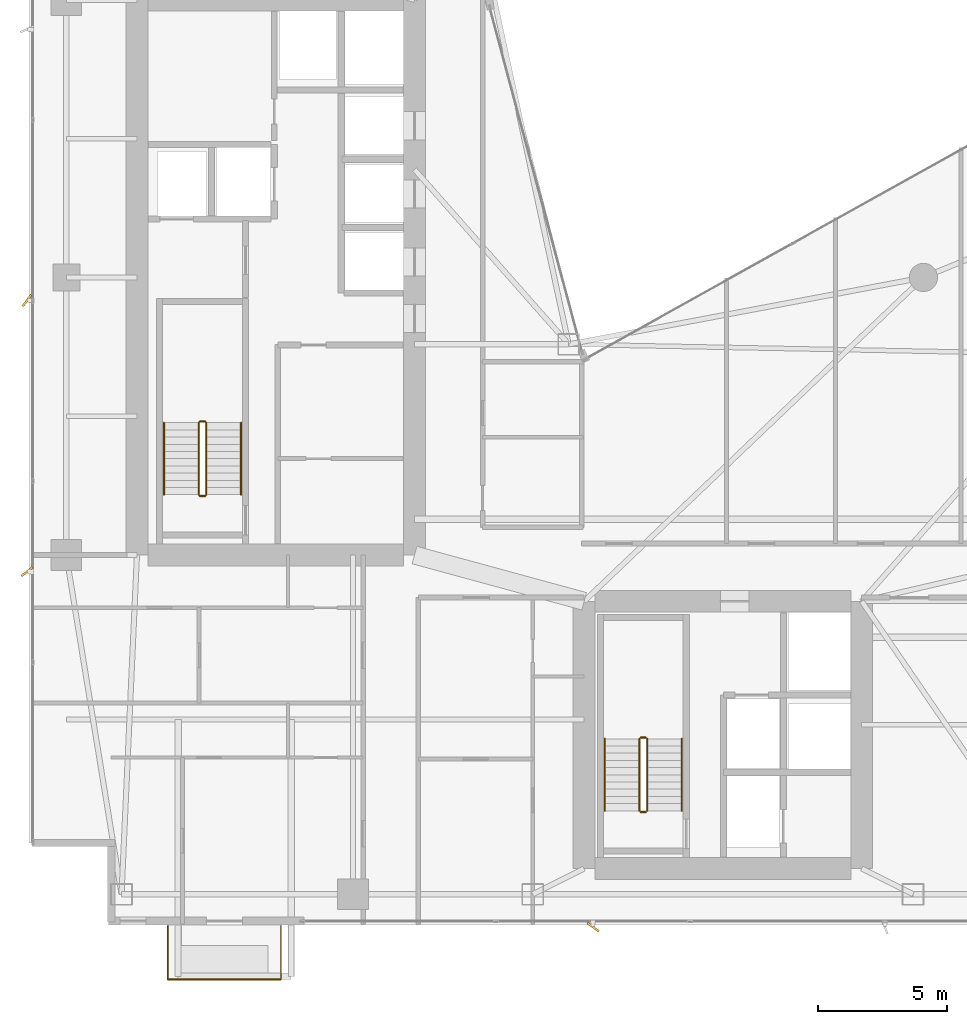
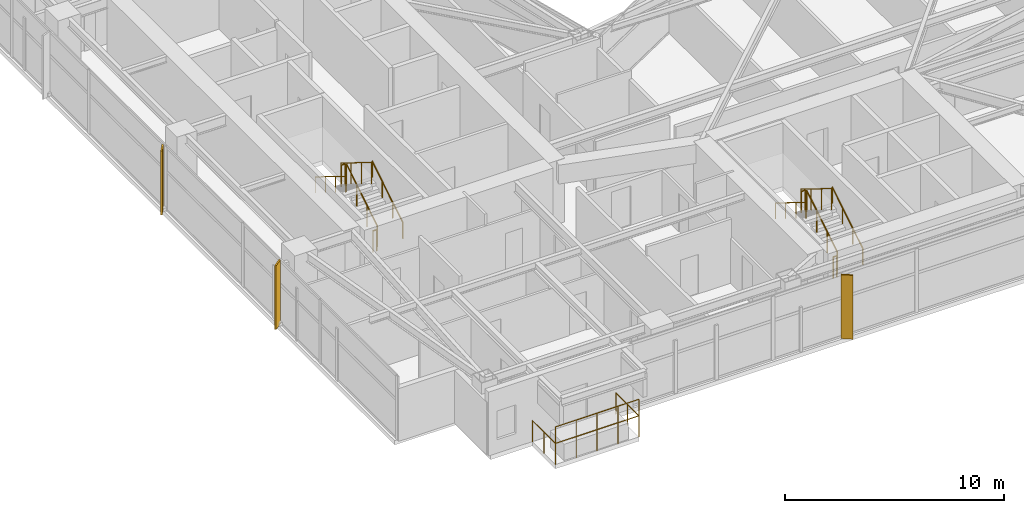
# One storey, part 28 of 29: 14 railings, 3 shading devices.
"""IFC4 building model written with IfcOpenShell, lengths in metres."""

import ifcopenshell
import ifcopenshell.guid

model = None  # the IFC model being written
_history = None  # IfcOwnerHistory: only IFC2X3 demands one
_inside = {}  # id of a spatial element -> (the spatial element, [elements in it])
_under = {}  # id of a project, library or spatial element -> (it, [spatial elements below it])
_declared = {}  # id of a project -> (the project, [libraries it declares])
_typed = {}  # id of a type object -> (the type object, [elements of that type])
_made_of = {}  # id of a material, layer set ... -> (it, [elements and type objects made of it])


def new_model(schema):
    """Start an empty IFC model of exactly this schema.

    Asked for "IFC4X3", IfcOpenShell would pick the latest addendum, in which some entities
    have other attributes; the version numbers below select the first issue.
    IFC2X3 requires an IfcOwnerHistory on every rooted entity: one is made here for all.
    """
    global model, _history
    if schema == "IFC4X3":
        model = ifcopenshell.file(schema_version=(4, 3, 0, 0))
    else:
        model = ifcopenshell.file(schema=schema)
    _inside.clear()
    _under.clear()
    _declared.clear()
    _typed.clear()
    _made_of.clear()
    _history = None
    if model.schema == "IFC2X3":
        org = make("IfcOrganization", Name="unknown")
        user = make(
            "IfcPersonAndOrganization",
            ThePerson=make("IfcPerson", FamilyName="unknown"),
            TheOrganization=org,
        )
        app = make(
            "IfcApplication",
            ApplicationDeveloper=org,
            Version="unknown",
            ApplicationFullName="unknown",
            ApplicationIdentifier="unknown",
        )
        _history = make(
            "IfcOwnerHistory",
            OwningUser=user,
            OwningApplication=app,
            ChangeAction="ADDED",
            CreationDate=0,
        )
    return model


def make(cls, **values):
    """One entity of the class cls with the attributes given. An attribute that is None is left unset."""
    return model.create_entity(
        cls, **{name: value for name, value in values.items() if value is not None}
    )


def rooted(cls, **values):
    """An entity with a GlobalId (a new one), such as an element, a storey or a relation."""
    return make(cls, GlobalId=ifcopenshell.guid.new(), OwnerHistory=_history, **values)


def si_unit(unit_type, name, prefix=None):
    """IfcSIUnit, for example si_unit("LENGTHUNIT", "METRE", prefix="MILLI")."""
    return make("IfcSIUnit", UnitType=unit_type, Prefix=prefix, Name=name)


def assignment(units):
    """IfcUnitAssignment: the units of a project."""
    return None if units is None else make("IfcUnitAssignment", Units=units)


def point(xyz):
    """IfcCartesianPoint."""
    return None if xyz is None else make("IfcCartesianPoint", Coordinates=xyz)


def direction(xyz):
    """IfcDirection."""
    return None if xyz is None else make("IfcDirection", DirectionRatios=xyz)


def frame(location, z_axis=None, x_axis=None):
    """IfcAxis2Placement3D, a coordinate frame: its origin and axes. An axis left out is left unset."""
    return make(
        "IfcAxis2Placement3D",
        Location=point(location),
        Axis=direction(z_axis),
        RefDirection=direction(x_axis),
    )


def frame_2d(location, x_axis=None):
    """IfcAxis2Placement2D, a coordinate frame in the plane: its origin and x axis."""
    return make(
        "IfcAxis2Placement2D", Location=point(location), RefDirection=direction(x_axis)
    )


def origin():
    """The frame at (0, 0, 0) with its axes left unset."""
    return frame((0.0, 0.0, 0.0))


def origin_2d():
    """The frame at (0, 0) in the plane with its x axis left unset."""
    return frame_2d((0.0, 0.0))


def place(relative_to, where):
    """IfcLocalPlacement: puts the frame where relative to a parent placement (None: the world)."""
    return make(
        "IfcLocalPlacement", PlacementRelTo=relative_to, RelativePlacement=where
    )


def context(
    kind, dimensions, precision=None, world=None, true_north=None, identifier=None
):
    """IfcGeometricRepresentationContext, for example the 3D "Model" context."""
    return make(
        "IfcGeometricRepresentationContext",
        ContextIdentifier=identifier,
        ContextType=kind,
        CoordinateSpaceDimension=dimensions,
        Precision=precision,
        WorldCoordinateSystem=world,
        TrueNorth=true_north,
    )


def subcontext(parent, identifier, kind, view, scale=None):
    """IfcGeometricRepresentationSubContext, for example "Body" below "Model"."""
    return make(
        "IfcGeometricRepresentationSubContext",
        ContextIdentifier=identifier,
        ContextType=kind,
        ParentContext=parent,
        TargetScale=scale,
        TargetView=view,
    )


def project(units=None, contexts=None):
    """IfcProject with its units and contexts."""
    return rooted(
        "IfcProject",
        Name="project",
        RepresentationContexts=contexts,
        UnitsInContext=assignment(units),
    )


def spatial(cls, under=None, at=None, **own):
    """A site, building, storey or space (cls), placed at a placement, below another one or the project."""
    s = rooted(cls, ObjectPlacement=at, **own)
    if under is not None:
        _under.setdefault(under.id(), (under, []))[1].append(s)
    return s


def profile(cls, at=None, kind="AREA", **sizes):
    """A parametric profile (cls). Its sizes go by their IFC names, for example OverallWidth=200.0."""
    return make(cls, ProfileType=kind, Position=at, **sizes)


def rectangle(**sizes):
    """IfcRectangleProfileDef."""
    return profile("IfcRectangleProfileDef", **sizes)


def circle(**sizes):
    """IfcCircleProfileDef."""
    return profile("IfcCircleProfileDef", **sizes)


def extrude(swept, where, along, depth):
    """IfcExtrudedAreaSolid: the profile swept, set in the frame where, extruded along a direction by depth."""
    return make(
        "IfcExtrudedAreaSolid",
        SweptArea=swept,
        Position=where,
        ExtrudedDirection=direction(along),
        Depth=depth,
    )


def shape(context_of_items, identifier, shape_type, items):
    """IfcShapeRepresentation: the items that make up one representation, for example the "Body"."""
    return make(
        "IfcShapeRepresentation",
        ContextOfItems=context_of_items,
        RepresentationIdentifier=identifier,
        RepresentationType=shape_type,
        Items=items,
    )


def material(Name=None, Category=None):
    """IfcMaterial."""
    return make("IfcMaterial", Name=Name, Category=Category)


def made_of(thing, what):
    """Note that an element or type object is made of a material, layer set ...; save() writes the relation."""
    if what is not None:
        _made_of.setdefault(what.id(), (what, []))[1].append(thing)
    return thing


def type_object(cls, material=None, **own):
    """A type object (cls), such as IfcWallType, which elements share."""
    return made_of(rooted(cls, **own), material)


def element(
    cls,
    number,
    at=None,
    inside=None,
    cuts=None,
    type_object=None,
    material=None,
    context=None,
    identifier="Body",
    shape_type=None,
    held_by="IfcProductDefinitionShape",
    body=None,
    shapes=None,
    **own,
):
    """One element of the class cls, such as IfcWall. Its Tag is "e" and its number.

    at: its placement. inside: the storey or other place that contains it. cuts: it is an
    opening in that element (IfcRelVoidsElement). A single representation is given by context,
    identifier, shape_type and body (its items); several are given by shapes. held_by: the class
    of the entity that holds the representations. save() writes the other relations.
    """
    e = rooted(cls, Tag="e%d" % number, ObjectPlacement=at, **own)
    if body is not None:
        shapes = [shape(context, identifier, shape_type, body)]
    if shapes is not None:
        e.Representation = make(held_by, Representations=shapes)
    if inside is not None:
        _inside.setdefault(inside.id(), (inside, []))[1].append(e)
    if cuts is not None:
        rooted(
            "IfcRelVoidsElement", RelatingBuildingElement=cuts, RelatedOpeningElement=e
        )
    if type_object is not None:
        _typed.setdefault(type_object.id(), (type_object, []))[1].append(e)
    return made_of(e, material)


def aggregate(whole, parts):
    """IfcRelAggregates: a whole, such as a stair, and the parts it consists of."""
    return rooted("IfcRelAggregates", RelatingObject=whole, RelatedObjects=parts)


def save(model, path):
    """Write the relations noted so far, then the file.

    IfcRelAggregates (storeys below a building ...), IfcRelContainedInSpatialStructure (elements
    in a storey), IfcRelDefinesByType, IfcRelAssociatesMaterial and IfcRelDeclares: one each for
    every whole, place, type object, material and project.
    """
    for whole, parts in _under.values():
        aggregate(whole, parts)
    for where, things in _inside.values():
        rooted(
            "IfcRelContainedInSpatialStructure",
            RelatedElements=things,
            RelatingStructure=where,
        )
    for kind, things in _typed.values():
        rooted("IfcRelDefinesByType", RelatedObjects=things, RelatingType=kind)
    for what, things in _made_of.values():
        rooted("IfcRelAssociatesMaterial", RelatedObjects=things, RelatingMaterial=what)
    for by, libraries in _declared.values():
        rooted("IfcRelDeclares", RelatingContext=by, RelatedDefinitions=libraries)
    model.write(path)


model = new_model("IFC4")

# Units and contexts
model_context = context("Model", 3, precision=1e-05, world=origin(), true_north=direction((0.0, 1.0)))
body_context = subcontext(model_context, "Body", "Model", "MODEL_VIEW")
ifc_project = project(units=[si_unit("LENGTHUNIT", "METRE"), si_unit("AREAUNIT", "SQUARE_METRE"), si_unit("VOLUMEUNIT", "CUBIC_METRE"), si_unit("PLANEANGLEUNIT", "RADIAN"), si_unit("MASSUNIT", "GRAM", prefix="KILO")], contexts=[model_context])

# Site, building, storey
site_placement = place(None, origin())
site = spatial("IfcSite", under=ifc_project, at=site_placement, CompositionType="ELEMENT")
building_placement = place(site_placement, origin())
building = spatial("IfcBuilding", under=site, at=building_placement, Name="Calvorn Quay Hotel", CompositionType="ELEMENT")
storey_placement = place(building_placement, frame((0.0, 0.0, 148.5)))
storey = spatial("IfcBuildingStorey", under=building, at=storey_placement, Name="L36", CompositionType="ELEMENT", Elevation=148.5)

# Railings
ifc_material_1 = material(Name="Pale Anodised Aluminium and Laminated Glass", Category="aluminium")
railing_type_1 = type_object("IfcRailingType", Name="RLG-BALUSTRADE-1200", PredefinedType="BALUSTRADE", material=ifc_material_1)
railing_1_placement = place(storey_placement, frame((5.39990234375, 2.389892578125, 0.0)))
element("IfcRailing", 1, at=railing_1_placement, inside=storey, type_object=railing_type_1, Name="Tree Balcony Perimeter Balustrade L36-BALC-S", PredefinedType="BALUSTRADE", context=body_context, shape_type="SweptSolid", body=[
    extrude(circle(Radius=0.02392578125, at=origin_2d()), frame((0.0, 0.0, 1.17578125), z_axis=(0.0, -1.0, 0.0), x_axis=(1.0, 0.0, 0.0)), (0.0, 0.0, 1.0), 2.099853515625),
    extrude(circle(Radius=0.02392578125, at=origin_2d()), frame((0.0, -2.099853515625, 1.17578125), z_axis=(1.0, 0.0, 0.0), x_axis=(0.0, 1.0, 0.0)), (0.0, 0.0, 1.0), 4.400146484375),
    extrude(circle(Radius=0.02392578125, at=origin_2d()), frame((4.400146484375, -2.099853515625, 1.17578125), z_axis=(0.0, 1.0, 0.0), x_axis=(-1.0, 0.0, 0.0)), (0.0, 0.0, 1.0), 2.099853515625),
    extrude(circle(Radius=0.02099609375, at=origin_2d()), origin(), (0.0, 0.0, 1.0), 1.15185546875),
    extrude(circle(Radius=0.02099609375, at=origin_2d()), frame((0.0, -1.0498046875, 0.0)), (0.0, 0.0, 1.0), 1.15185546875),
    extrude(circle(Radius=0.02099609375, at=origin_2d()), frame((0.0, -2.099853515625, 0.0)), (0.0, 0.0, 1.0), 1.15185546875),
    extrude(circle(Radius=0.02099609375, at=origin_2d()), frame((1.10009765625, -2.099853515625, 0.0)), (0.0, 0.0, 1.0), 1.15185546875),
    extrude(circle(Radius=0.02099609375, at=origin_2d()), frame((2.2001953125, -2.099853515625, 0.0)), (0.0, 0.0, 1.0), 1.15185546875),
    extrude(circle(Radius=0.02099609375, at=origin_2d()), frame((3.300048828125, -2.099853515625, 0.0)), (0.0, 0.0, 1.0), 1.15185546875),
    extrude(circle(Radius=0.02099609375, at=origin_2d()), frame((4.400146484375, -2.099853515625, 0.0)), (0.0, 0.0, 1.0), 1.15185546875),
    extrude(circle(Radius=0.02099609375, at=origin_2d()), frame((4.400146484375, -1.0498046875, 0.0)), (0.0, 0.0, 1.0), 1.15185546875),
    extrude(circle(Radius=0.02099609375, at=origin_2d()), frame((4.400146484375, 0.0, 0.0)), (0.0, 0.0, 1.0), 1.15185546875),
])
railing_2_placement = place(storey_placement, frame((5.39990234375, 0.2900390625, 0.89990234375)))
element("IfcRailing", 2, at=railing_2_placement, inside=storey, type_object=railing_type_1, Name="Planter Kerb High Safety Screen L36-BALC-S", PredefinedType="BALUSTRADE", context=body_context, shape_type="SweptSolid", body=[
    extrude(circle(Radius=0.02392578125, at=origin_2d()), frame((0.0, 0.0, 1.19580078125), z_axis=(1.0, 0.0, 0.0), x_axis=(0.0, 1.0, 0.0)), (0.0, 0.0, 1.0), 4.400146484375),
    extrude(circle(Radius=0.02099609375, at=origin_2d()), origin(), (0.0, 0.0, 1.0), 1.171875),
    extrude(circle(Radius=0.02099609375, at=origin_2d()), frame((1.10009765625, 0.0, 0.0)), (0.0, 0.0, 1.0), 1.171875),
    extrude(circle(Radius=0.02099609375, at=origin_2d()), frame((2.2001953125, 0.0, 0.0)), (0.0, 0.0, 1.0), 1.171875),
    extrude(circle(Radius=0.02099609375, at=origin_2d()), frame((3.300048828125, 0.0, 0.0)), (0.0, 0.0, 1.0), 1.171875),
    extrude(circle(Radius=0.02099609375, at=origin_2d()), frame((4.400146484375, 0.0, 0.0)), (0.0, 0.0, 1.0), 1.171875),
])
ifc_material_2 = material(Name="Brushed Stainless Steel Handrail", Category="steel")
railing_type_2 = type_object("IfcRailingType", Name="RLG-HANDRAIL-900", PredefinedType="HANDRAIL", material=ifc_material_2)
railing_3_placement = place(storey_placement, frame((8.25, 19.14990234375, 0.172607421875)))
element("IfcRailing", 3, at=railing_3_placement, inside=storey, type_object=railing_type_2, Name="L36 ST-W stair handrail 1", PredefinedType="HANDRAIL", context=body_context, shape_type="SweptSolid", body=[
    extrude(circle(Radius=0.02392578125, at=origin_2d()), frame((0.0, 0.0, 0.8759765625), z_axis=(0.0, 0.851089632645, 0.525020415988), x_axis=(-1.0, 0.0, 0.0)), (0.0, 0.0, 1.0), 3.2900390625),
    extrude(circle(Radius=0.02099609375, at=origin_2d()), origin(), (0.0, 0.0, 1.0), 0.851806640625),
    extrude(circle(Radius=0.02099609375, at=origin_2d()), frame((0.0, 0.933349609375, 0.57568359375)), (0.0, 0.0, 1.0), 0.851806640625),
    extrude(circle(Radius=0.02099609375, at=origin_2d()), frame((0.0, 1.86669921875, 1.151611328125)), (0.0, 0.0, 1.0), 0.851806640625),
    extrude(circle(Radius=0.02099609375, at=origin_2d()), frame((0.0, 2.800048828125, 1.727294921875)), (0.0, 0.0, 1.0), 0.851806640625),
])
railing_4_placement = place(storey_placement, frame((5.25, 21.949951171875, 2.07275390625)))
element("IfcRailing", 4, at=railing_4_placement, inside=storey, type_object=railing_type_2, Name="L36 ST-W stair handrail 2", PredefinedType="HANDRAIL", context=body_context, shape_type="SweptSolid", body=[
    extrude(circle(Radius=0.02392578125, at=origin_2d()), frame((0.0, 0.0, 0.8759765625), z_axis=(0.0, -0.851089632645, 0.525020415988), x_axis=(1.0, 0.0, 0.0)), (0.0, 0.0, 1.0), 3.2900390625),
    extrude(circle(Radius=0.02099609375, at=origin_2d()), origin(), (0.0, 0.0, 1.0), 0.851806640625),
    extrude(circle(Radius=0.02099609375, at=origin_2d()), frame((0.0, -0.933349609375, 0.57568359375)), (0.0, 0.0, 1.0), 0.851806640625),
    extrude(circle(Radius=0.02099609375, at=origin_2d()), frame((0.0, -1.86669921875, 1.151611328125)), (0.0, 0.0, 1.0), 0.851806640625),
    extrude(circle(Radius=0.02099609375, at=origin_2d()), frame((0.0, -2.800048828125, 1.727294921875)), (0.0, 0.0, 1.0), 0.851806640625),
])
railing_5_placement = place(storey_placement, frame((25.39990234375, 6.85009765625, 0.172607421875)))
element("IfcRailing", 5, at=railing_5_placement, inside=storey, type_object=railing_type_2, Name="L36 ST-E stair handrail 1", PredefinedType="HANDRAIL", context=body_context, shape_type="SweptSolid", body=[
    extrude(circle(Radius=0.02392578125, at=origin_2d()), frame((0.0, 0.0, 0.8759765625), z_axis=(0.0, 0.851069175582, 0.525053576669), x_axis=(-1.0, 0.0, 0.0)), (0.0, 0.0, 1.0), 3.289794921875),
    extrude(circle(Radius=0.02099609375, at=origin_2d()), origin(), (0.0, 0.0, 1.0), 0.851806640625),
    extrude(circle(Radius=0.02099609375, at=origin_2d()), frame((0.0, 0.933349609375, 0.57568359375)), (0.0, 0.0, 1.0), 0.851806640625),
    extrude(circle(Radius=0.02099609375, at=origin_2d()), frame((0.0, 1.866455078125, 1.151611328125)), (0.0, 0.0, 1.0), 0.851806640625),
    extrude(circle(Radius=0.02099609375, at=origin_2d()), frame((0.0, 2.7998046875, 1.727294921875)), (0.0, 0.0, 1.0), 0.851806640625),
])
railing_6_placement = place(storey_placement, frame((22.39990234375, 9.64990234375, 2.07275390625)))
element("IfcRailing", 6, at=railing_6_placement, inside=storey, type_object=railing_type_2, Name="L36 ST-E stair handrail 2", PredefinedType="HANDRAIL", context=body_context, shape_type="SweptSolid", body=[
    extrude(circle(Radius=0.02392578125, at=origin_2d()), frame((0.0, 0.0, 0.8759765625), z_axis=(0.0, -0.851069175582, 0.525053576669), x_axis=(1.0, 0.0, 0.0)), (0.0, 0.0, 1.0), 3.289794921875),
    extrude(circle(Radius=0.02099609375, at=origin_2d()), origin(), (0.0, 0.0, 1.0), 0.851806640625),
    extrude(circle(Radius=0.02099609375, at=origin_2d()), frame((0.0, -0.933349609375, 0.57568359375)), (0.0, 0.0, 1.0), 0.851806640625),
    extrude(circle(Radius=0.02099609375, at=origin_2d()), frame((0.0, -1.866455078125, 1.151611328125)), (0.0, 0.0, 1.0), 0.851806640625),
    extrude(circle(Radius=0.02099609375, at=origin_2d()), frame((0.0, -2.7998046875, 1.727294921875)), (0.0, 0.0, 1.0), 0.851806640625),
])
ifc_material_3 = material(Name="Painted Galvanised Steel Balustrade", Category="steel")
railing_type_3 = type_object("IfcRailingType", Name="RLG-STAIR-GUARD-1120", PredefinedType="GUARDRAIL", material=ifc_material_3)
railing_7_placement = place(storey_placement, frame((6.89990234375, 19.14990234375, 0.172607421875)))
element("IfcRailing", 7, at=railing_7_placement, inside=storey, type_object=railing_type_3, Name="L36 ST-W stair guard 1", PredefinedType="GUARDRAIL", context=body_context, shape_type="SweptSolid", body=[
    extrude(circle(Radius=0.02392578125, at=origin_2d()), frame((0.0, 0.0, 1.17578125), z_axis=(0.0, 0.851089632645, 0.525020415988), x_axis=(-1.0, 0.0, 0.0)), (0.0, 0.0, 1.0), 3.2900390625),
    extrude(circle(Radius=0.02099609375, at=origin_2d()), origin(), (0.0, 0.0, 1.0), 1.15185546875),
    extrude(circle(Radius=0.02099609375, at=origin_2d()), frame((0.0, 0.933349609375, 0.57568359375)), (0.0, 0.0, 1.0), 1.15185546875),
    extrude(circle(Radius=0.02099609375, at=origin_2d()), frame((0.0, 1.86669921875, 1.151611328125)), (0.0, 0.0, 1.0), 1.15185546875),
    extrude(circle(Radius=0.02099609375, at=origin_2d()), frame((0.0, 2.800048828125, 1.727294921875)), (0.0, 0.0, 1.0), 1.15185546875),
])
railing_8_placement = place(storey_placement, frame((6.85009765625, 22.0, 1.89990234375)))
element("IfcRailing", 8, at=railing_8_placement, inside=storey, type_object=railing_type_3, Name="L36 ST-W stair guard 2", PredefinedType="GUARDRAIL", context=body_context, shape_type="SweptSolid", body=[
    extrude(circle(Radius=0.02392578125, at=origin_2d()), frame((0.0, 0.0, 1.17578125), z_axis=(-1.0, 0.0, 0.0), x_axis=(0.0, -1.0, 0.0)), (0.0, 0.0, 1.0), 0.2001953125),
    extrude(circle(Radius=0.02099609375, at=origin_2d()), origin(), (0.0, 0.0, 1.0), 1.15185546875),
    extrude(circle(Radius=0.02099609375, at=origin_2d()), frame((-0.2001953125, 0.0, 0.0)), (0.0, 0.0, 1.0), 1.15185546875),
])
railing_9_placement = place(storey_placement, frame((6.60009765625, 21.949951171875, 2.07275390625)))
element("IfcRailing", 9, at=railing_9_placement, inside=storey, type_object=railing_type_3, Name="L36 ST-W stair guard 3", PredefinedType="GUARDRAIL", context=body_context, shape_type="SweptSolid", body=[
    extrude(circle(Radius=0.02392578125, at=origin_2d()), frame((0.0, 0.0, 1.17578125), z_axis=(0.0, -0.851089632645, 0.525020415988), x_axis=(1.0, 0.0, 0.0)), (0.0, 0.0, 1.0), 3.2900390625),
    extrude(circle(Radius=0.02099609375, at=origin_2d()), origin(), (0.0, 0.0, 1.0), 1.15185546875),
    extrude(circle(Radius=0.02099609375, at=origin_2d()), frame((0.0, -0.933349609375, 0.57568359375)), (0.0, 0.0, 1.0), 1.15185546875),
    extrude(circle(Radius=0.02099609375, at=origin_2d()), frame((0.0, -1.86669921875, 1.151611328125)), (0.0, 0.0, 1.0), 1.15185546875),
    extrude(circle(Radius=0.02099609375, at=origin_2d()), frame((0.0, -2.800048828125, 1.727294921875)), (0.0, 0.0, 1.0), 1.15185546875),
])
railing_10_placement = place(storey_placement, frame((6.85009765625, 19.10009765625, 0.0)))
element("IfcRailing", 10, at=railing_10_placement, inside=storey, type_object=railing_type_3, Name="L36 ST-W stair guard 4", PredefinedType="GUARDRAIL", context=body_context, shape_type="SweptSolid", body=[
    extrude(circle(Radius=0.02392578125, at=origin_2d()), frame((0.0, 0.0, 1.17578125), z_axis=(-1.0, 0.0, 0.0), x_axis=(0.0, -1.0, 0.0)), (0.0, 0.0, 1.0), 0.2001953125),
    extrude(circle(Radius=0.02099609375, at=origin_2d()), origin(), (0.0, 0.0, 1.0), 1.15185546875),
    extrude(circle(Radius=0.02099609375, at=origin_2d()), frame((-0.2001953125, 0.0, 0.0)), (0.0, 0.0, 1.0), 1.15185546875),
])
railing_11_placement = place(storey_placement, frame((24.050048828125, 6.85009765625, 0.172607421875)))
element("IfcRailing", 11, at=railing_11_placement, inside=storey, type_object=railing_type_3, Name="L36 ST-E stair guard 1", PredefinedType="GUARDRAIL", context=body_context, shape_type="SweptSolid", body=[
    extrude(circle(Radius=0.02392578125, at=origin_2d()), frame((0.0, 0.0, 1.17578125), z_axis=(0.0, 0.851069175582, 0.525053576669), x_axis=(-1.0, 0.0, 0.0)), (0.0, 0.0, 1.0), 3.289794921875),
    extrude(circle(Radius=0.02099609375, at=origin_2d()), origin(), (0.0, 0.0, 1.0), 1.15185546875),
    extrude(circle(Radius=0.02099609375, at=origin_2d()), frame((0.0, 0.933349609375, 0.57568359375)), (0.0, 0.0, 1.0), 1.15185546875),
    extrude(circle(Radius=0.02099609375, at=origin_2d()), frame((0.0, 1.866455078125, 1.151611328125)), (0.0, 0.0, 1.0), 1.15185546875),
    extrude(circle(Radius=0.02099609375, at=origin_2d()), frame((0.0, 2.7998046875, 1.727294921875)), (0.0, 0.0, 1.0), 1.15185546875),
])
railing_12_placement = place(storey_placement, frame((24.0, 9.699951171875, 1.89990234375)))
element("IfcRailing", 12, at=railing_12_placement, inside=storey, type_object=railing_type_3, Name="L36 ST-E stair guard 2", PredefinedType="GUARDRAIL", context=body_context, shape_type="SweptSolid", body=[
    extrude(circle(Radius=0.02392578125, at=origin_2d()), frame((0.0, 0.0, 1.17578125), z_axis=(-1.0, 0.0, 0.0), x_axis=(0.0, -1.0, 0.0)), (0.0, 0.0, 1.0), 0.199951171875),
    extrude(circle(Radius=0.02099609375, at=origin_2d()), origin(), (0.0, 0.0, 1.0), 1.15185546875),
    extrude(circle(Radius=0.02099609375, at=origin_2d()), frame((-0.199951171875, 0.0, 0.0)), (0.0, 0.0, 1.0), 1.15185546875),
])
railing_13_placement = place(storey_placement, frame((23.75, 9.64990234375, 2.07275390625)))
element("IfcRailing", 13, at=railing_13_placement, inside=storey, type_object=railing_type_3, Name="L36 ST-E stair guard 3", PredefinedType="GUARDRAIL", context=body_context, shape_type="SweptSolid", body=[
    extrude(circle(Radius=0.02392578125, at=origin_2d()), frame((0.0, 0.0, 1.17578125), z_axis=(0.0, -0.851069175582, 0.525053576669), x_axis=(1.0, 0.0, 0.0)), (0.0, 0.0, 1.0), 3.289794921875),
    extrude(circle(Radius=0.02099609375, at=origin_2d()), origin(), (0.0, 0.0, 1.0), 1.15185546875),
    extrude(circle(Radius=0.02099609375, at=origin_2d()), frame((0.0, -0.933349609375, 0.57568359375)), (0.0, 0.0, 1.0), 1.15185546875),
    extrude(circle(Radius=0.02099609375, at=origin_2d()), frame((0.0, -1.866455078125, 1.151611328125)), (0.0, 0.0, 1.0), 1.15185546875),
    extrude(circle(Radius=0.02099609375, at=origin_2d()), frame((0.0, -2.7998046875, 1.727294921875)), (0.0, 0.0, 1.0), 1.15185546875),
])
railing_14_placement = place(storey_placement, frame((24.0, 6.800048828125, 0.0)))
element("IfcRailing", 14, at=railing_14_placement, inside=storey, type_object=railing_type_3, Name="L36 ST-E stair guard 4", PredefinedType="GUARDRAIL", context=body_context, shape_type="SweptSolid", body=[
    extrude(circle(Radius=0.02392578125, at=origin_2d()), frame((0.0, 0.0, 1.17578125), z_axis=(-1.0, 0.0, 0.0), x_axis=(0.0, -1.0, 0.0)), (0.0, 0.0, 1.0), 0.199951171875),
    extrude(circle(Radius=0.02099609375, at=origin_2d()), origin(), (0.0, 0.0, 1.0), 1.15185546875),
    extrude(circle(Radius=0.02099609375, at=origin_2d()), frame((-0.199951171875, 0.0, 0.0)), (0.0, 0.0, 1.0), 1.15185546875),
])

# Shading devices
ifc_material_4 = material(Name="Champagne Bronze Anodised Aluminium 6063-T6", Category="aluminium")
shading_device_type_1 = type_object("IfcShadingDeviceType", Name="SHD-FIN-A2", PredefinedType="USERDEFINED", material=ifc_material_4)
shading_device_placement = place(storey_placement, frame((-0.080078125, 16.14990234375, 0.0), z_axis=(0.0, 0.0, 1.0), x_axis=(0.788010753607, 0.615661475326, 0.0)))
element("IfcShadingDevice", 15, at=shading_device_placement, inside=storey, type_object=shading_device_type_1, Name="Diagonal Sun-Shading Fin L36-W01", ObjectType="FIN", PredefinedType="USERDEFINED", context=body_context, shape_type="SweptSolid", body=[
    extrude(rectangle(XDim=0.550048828125, YDim=0.080078125, at=origin_2d()), origin(), (0.0, 0.0, 1.0), 3.56005859375),
])
ifc_material_5 = material(Name="Champagne Bronze Anodised Aluminium 6063-T6", Category="aluminium")
shading_device_type_2 = type_object("IfcShadingDeviceType", Name="SHD-FIN-A3", PredefinedType="USERDEFINED", material=ifc_material_5)
for number, where, z_axis, x_axis, name in (
    (16, (-0.080078125, 26.699951171875, 0.0), (0.0, 0.0, 1.0), (0.587785252292, 0.809016994375, 0.0), "Diagonal Sun-Shading Fin L36-W02"),
    (17, (21.949951171875, 2.320068359375, 0.0), (0.0, 0.0, 1.0), (-0.809016994375, 0.587785252292, 0.0), "Diagonal Sun-Shading Fin L36-S01"),
):
    element("IfcShadingDevice", number, at=place(storey_placement, frame(where, z_axis=z_axis, x_axis=x_axis)), inside=storey, type_object=shading_device_type_2, Name=name, ObjectType="FIN", PredefinedType="USERDEFINED", context=body_context, shape_type="SweptSolid", body=[
        extrude(rectangle(XDim=0.550048828125, YDim=0.080078125, at=origin_2d()), origin(), (0.0, 0.0, 1.0), 3.56005859375),
    ])

save(model, "model.ifc")
